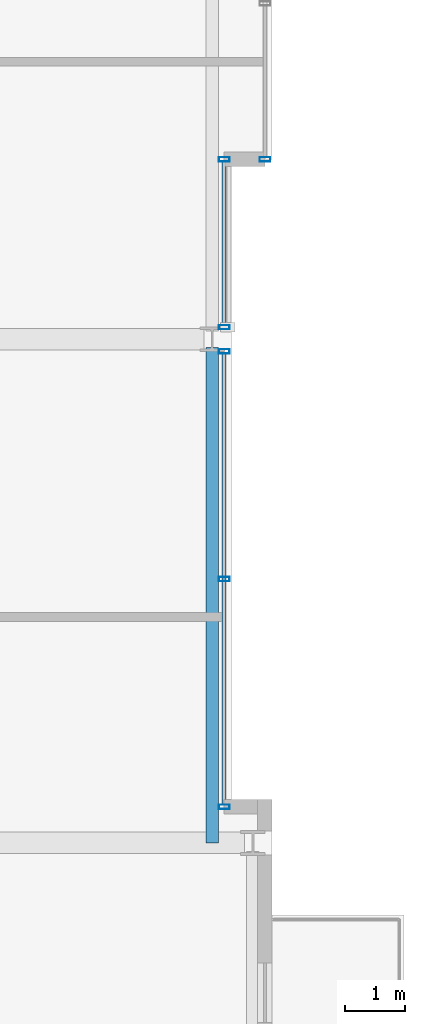
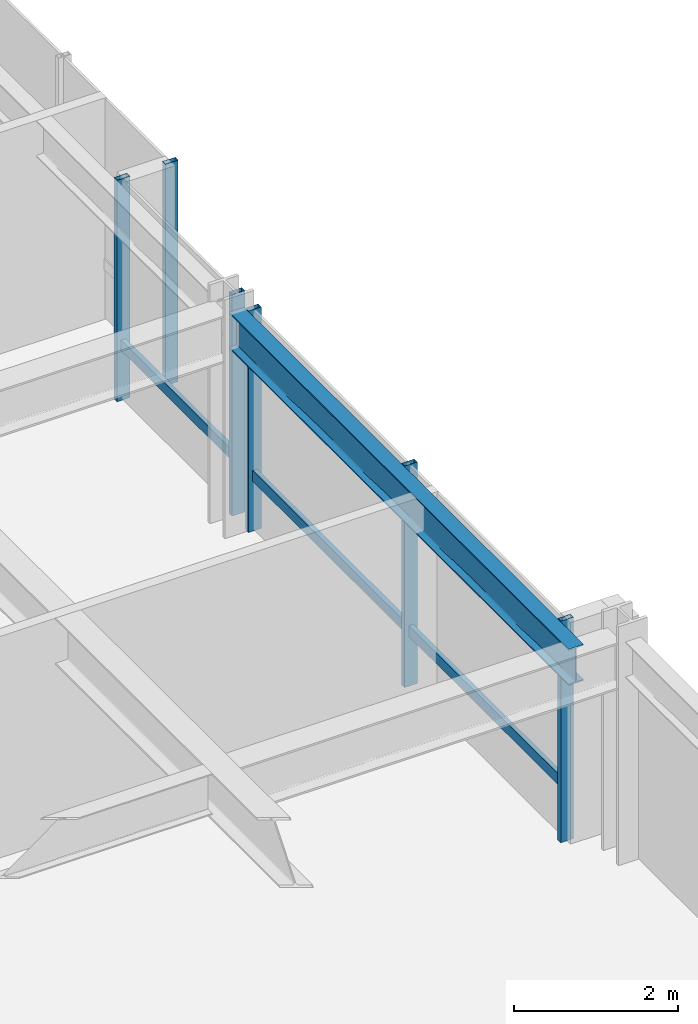
# One storey, part 15 of 33: 8 members, 1 beam, 3 elements without a shape of their own.
"""IFC4 building model written with IfcOpenShell, lengths in metres."""

from ifc_helpers import new_model, si_unit, direction, frame, origin, origin_2d, place, context, subcontext, project, spatial, hollow_rectangle, i_section, extrude, material, layer, layer_set, material_profile, profile_set, type_object, element, aggregate, save


model = new_model("IFC4")

# Units and contexts
model_context = context("Model", 3, precision=1e-05, world=origin(), true_north=direction((0.0, 1.0)))
body_context = subcontext(model_context, "Body", "Model", "MODEL_VIEW")
ifc_project = project(units=[si_unit("LENGTHUNIT", "METRE"), si_unit("AREAUNIT", "SQUARE_METRE"), si_unit("VOLUMEUNIT", "CUBIC_METRE"), si_unit("PLANEANGLEUNIT", "RADIAN"), si_unit("MASSUNIT", "GRAM", prefix="KILO")], contexts=[model_context])

# Site, building, storey
site_placement = place(None, origin())
site = spatial("IfcSite", under=ifc_project, at=site_placement, CompositionType="ELEMENT")
building_placement = place(site_placement, origin())
building = spatial("IfcBuilding", under=site, at=building_placement, Name="Drelvath Grand Hotel", CompositionType="ELEMENT")
storey_placement = place(building_placement, frame((0.0, 0.0, 168.14990234375)))
storey = spatial("IfcBuildingStorey", under=building, at=storey_placement, Name="L43", CompositionType="ELEMENT", Elevation=168.14990234375)

# Curtain wall, member
ifc_material_1 = material(Name="Brushed Pale-Silver Anodised Aluminium Frame", Category="aluminium")
ifc_layer = layer(ifc_material_1, 0.199951171875)
ifc_layer_set = layer_set([ifc_layer], Name="Brushed Pale-Silver Anodised Aluminium Frame")
curtain_wall_type = type_object("IfcCurtainWallType", Name="Stick Curtain Wall CW-04 Brushed Silver Upper-Mid", PredefinedType="NOTDEFINED", material=ifc_layer_set)
curtain_wall_1_placement = place(storey_placement, origin())
curtain_wall_1 = element("IfcCurtainWall", 1, at=curtain_wall_1_placement, inside=storey, type_object=curtain_wall_type, Name="L43 CW-04 Curtain Wall CW04-L43-EM1", PredefinedType="NOTDEFINED")
ifc_material_profile_1 = material_profile(ifc_material_1, hollow_rectangle(XDim=0.06494140625, YDim=0.159912109375, WallThickness=0.00390625, at=origin_2d()), Name="HSS160X65X4")
ifc_profile_set_1 = profile_set([ifc_material_profile_1], Name="Brushed Pale-Silver Anodised Aluminium Frame")
member_type_1 = type_object("IfcMemberType", Name="Curtain Wall Horizontal Transom CW-04 HSS160X65X4", PredefinedType="USERDEFINED", material=ifc_profile_set_1)
member_1_placement = place(storey_placement, frame((21.39990234375, 26.760009765625, 0.822509765625), z_axis=(0.0, -1.0, 0.0), x_axis=(1.0, 0.0, 0.0)))
member_1 = element("IfcMember", 2, at=member_1_placement, type_object=member_type_1, Name="CW04-L43-EM1 Sill Transom", ObjectType="TRANSOM", PredefinedType="USERDEFINED", context=body_context, shape_type="SweptSolid", body=[
    extrude(hollow_rectangle(XDim=0.06494140625, YDim=0.159912109375, WallThickness=0.00390625, at=origin_2d()), origin(), (0.0, 0.0, 1.0), 7.52001953125),
])

curtain_wall_2_placement = place(storey_placement, origin())
curtain_wall_2 = element("IfcCurtainWall", 3, at=curtain_wall_2_placement, inside=storey, type_object=curtain_wall_type, Name="L43 CW-04 Curtain Wall CW04-L43-EM2", PredefinedType="NOTDEFINED")
member_2_placement = place(storey_placement, frame((21.39990234375, 29.9599609375, 0.822509765625), z_axis=(0.0, -1.0, 0.0), x_axis=(1.0, 0.0, 0.0)))
member_2 = element("IfcMember", 4, at=member_2_placement, type_object=member_type_1, Name="CW04-L43-EM2 Sill Transom", ObjectType="TRANSOM", PredefinedType="USERDEFINED", context=body_context, shape_type="SweptSolid", body=[
    extrude(hollow_rectangle(XDim=0.06494140625, YDim=0.159912109375, WallThickness=0.00390625, at=origin_2d()), origin(), (0.0, 0.0, 1.0), 2.719970703125),
])

curtain_wall_3_placement = place(storey_placement, origin())
curtain_wall_3 = element("IfcCurtainWall", 5, at=curtain_wall_3_placement, inside=storey, type_object=curtain_wall_type, Name="L43 CW-04 Curtain Wall CW04-L43-EN1", PredefinedType="NOTDEFINED")
ifc_material_profile_2 = material_profile(ifc_material_1, hollow_rectangle(XDim=0.074951171875, YDim=0.179931640625, WallThickness=0.0048828125, at=origin_2d()), Name="HSS180X75X5")
ifc_profile_set_2 = profile_set([ifc_material_profile_2], Name="Brushed Pale-Silver Anodised Aluminium Frame")
member_type_2 = type_object("IfcMemberType", Name="Curtain Wall Vertical Mullion CW-04 HSS180X75X5", PredefinedType="MULLION", material=ifc_profile_set_2)
member_3_placement = place(storey_placement, frame((22.080078125, 30.0, 0.0), z_axis=(0.0, 0.0, 1.0), x_axis=(0.0, 1.0, 0.0)))
member_3 = element("IfcMember", 6, at=member_3_placement, type_object=member_type_2, Name="CW04-L43-EN1 Mullion 3", PredefinedType="MULLION", context=body_context, shape_type="SweptSolid", body=[
    extrude(hollow_rectangle(XDim=0.074951171875, YDim=0.179931640625, WallThickness=0.0048828125, at=origin_2d()), origin(), (0.0, 0.0, 1.0), 3.2900390625),
])
aggregate(curtain_wall_3, [member_3])

# Member
member_4_placement = place(storey_placement, frame((21.39990234375, 26.7998046875, 0.0), z_axis=(0.0, 0.0, 1.0), x_axis=(0.0, 1.0, 0.0)))
member_4 = element("IfcMember", 7, at=member_4_placement, type_object=member_type_2, Name="CW04-L43-EM1 Mullion 1", PredefinedType="MULLION", context=body_context, shape_type="SweptSolid", body=[
    extrude(hollow_rectangle(XDim=0.074951171875, YDim=0.179931640625, WallThickness=0.0048828125, at=origin_2d()), origin(), (0.0, 0.0, 1.0), 3.2900390625),
])

member_5_placement = place(storey_placement, frame((21.39990234375, 23.0, 0.0), z_axis=(0.0, 0.0, 1.0), x_axis=(0.0, 1.0, 0.0)))
member_5 = element("IfcMember", 8, at=member_5_placement, type_object=member_type_2, Name="CW04-L43-EM1 Mullion 2", PredefinedType="MULLION", context=body_context, shape_type="SweptSolid", body=[
    extrude(hollow_rectangle(XDim=0.074951171875, YDim=0.179931640625, WallThickness=0.0048828125, at=origin_2d()), origin(), (0.0, 0.0, 1.0), 3.2900390625),
])

member_6_placement = place(storey_placement, frame((21.39990234375, 19.199951171875, 0.0), z_axis=(0.0, 0.0, 1.0), x_axis=(0.0, 1.0, 0.0)))
member_6 = element("IfcMember", 9, at=member_6_placement, type_object=member_type_2, Name="CW04-L43-EM1 Mullion 3", PredefinedType="MULLION", context=body_context, shape_type="SweptSolid", body=[
    extrude(hollow_rectangle(XDim=0.074951171875, YDim=0.179931640625, WallThickness=0.0048828125, at=origin_2d()), origin(), (0.0, 0.0, 1.0), 3.2900390625),
])

aggregate(curtain_wall_1, [member_4, member_5, member_6, member_1])

member_7_placement = place(storey_placement, frame((21.39990234375, 30.0, 0.0), z_axis=(0.0, 0.0, 1.0), x_axis=(0.0, 1.0, 0.0)))
member_7 = element("IfcMember", 10, at=member_7_placement, type_object=member_type_2, Name="CW04-L43-EM2 Mullion 1", PredefinedType="MULLION", context=body_context, shape_type="SweptSolid", body=[
    extrude(hollow_rectangle(XDim=0.074951171875, YDim=0.179931640625, WallThickness=0.0048828125, at=origin_2d()), origin(), (0.0, 0.0, 1.0), 3.2900390625),
])

member_8_placement = place(storey_placement, frame((21.39990234375, 27.2001953125, 0.0), z_axis=(0.0, 0.0, 1.0), x_axis=(0.0, 1.0, 0.0)))
member_8 = element("IfcMember", 11, at=member_8_placement, type_object=member_type_2, Name="CW04-L43-EM2 Mullion 2", PredefinedType="MULLION", context=body_context, shape_type="SweptSolid", body=[
    extrude(hollow_rectangle(XDim=0.074951171875, YDim=0.179931640625, WallThickness=0.0048828125, at=origin_2d()), origin(), (0.0, 0.0, 1.0), 3.2900390625),
])

aggregate(curtain_wall_2, [member_7, member_8, member_2])

# Beam
ifc_material_2 = material(Name="Steel ASTM A992 Gr 50", Category="steel")
ifc_material_profile_3 = material_profile(ifc_material_2, i_section(OverallWidth=0.210205078125, OverallDepth=0.53662109375, WebThickness=0.010986328125, FlangeThickness=0.017333984375, FilletRadius=0.01806640625, at=origin_2d()), Name="W21X68")
ifc_profile_set_3 = profile_set([ifc_material_profile_3], Name="Steel ASTM A992 Gr 50")
beam_type = type_object("IfcBeamType", Name="Perimeter Spandrel Beam W21X68", PredefinedType="SPANDREL", material=ifc_profile_set_3)
beam_placement = place(storey_placement, frame((21.199951171875, 18.60009765625, 3.021728515625), z_axis=(0.0, 1.0, 0.0), x_axis=(-1.0, 0.0, 0.0)))
element("IfcBeam", 12, at=beam_placement, inside=storey, type_object=beam_type, Name="L43 Spandrel East Mid S", PredefinedType="SPANDREL", context=body_context, shape_type="SweptSolid", body=[
    extrude(i_section(OverallWidth=0.210205078125, OverallDepth=0.53662109375, WebThickness=0.010986328125, FlangeThickness=0.017333984375, FilletRadius=0.01806640625, at=origin_2d()), origin(), (0.0, 0.0, 1.0), 8.260009765625),
])

save(model, "model.ifc")
